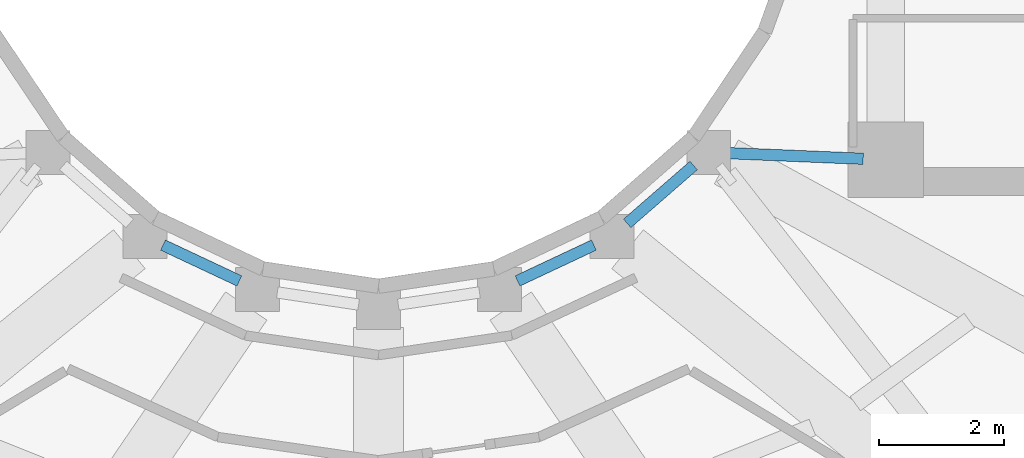
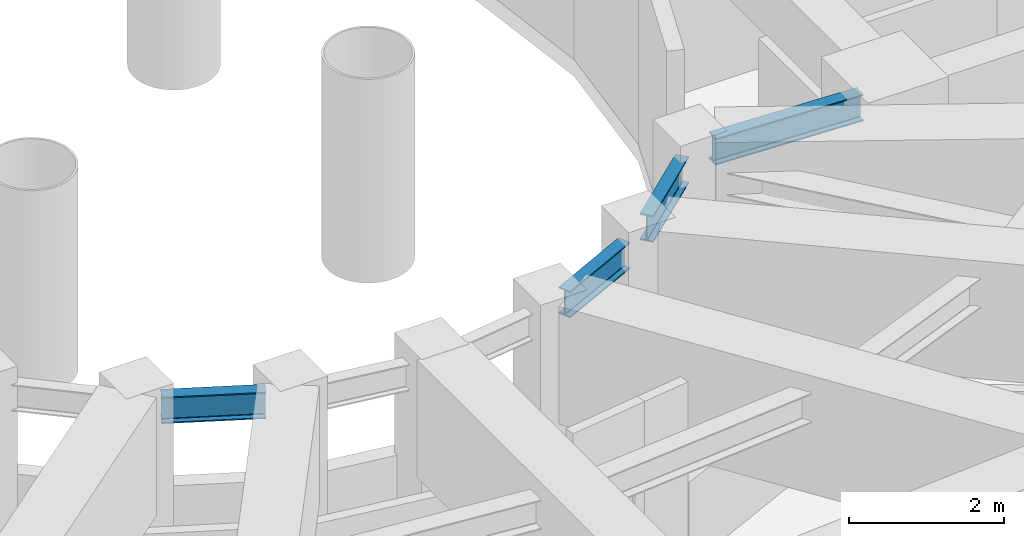
# One storey, part 6 of 18: 4 beams.
"""IFC4 building model written with IfcOpenShell, lengths in metres."""

from ifc_helpers import new_model, si_unit, direction, frame, origin, origin_2d, place, context, subcontext, project, spatial, i_section, extrude, material, material_profile, profile_set, type_object, element, save


model = new_model("IFC4")

# Units and contexts
model_context = context("Model", 3, precision=1e-05, world=origin(), true_north=direction((0.0, 1.0)))
body_context = subcontext(model_context, "Body", "Model", "MODEL_VIEW")
ifc_project = project(units=[si_unit("LENGTHUNIT", "METRE"), si_unit("AREAUNIT", "SQUARE_METRE"), si_unit("VOLUMEUNIT", "CUBIC_METRE"), si_unit("PLANEANGLEUNIT", "RADIAN"), si_unit("MASSUNIT", "GRAM", prefix="KILO")], contexts=[model_context])

# Site, building, storey
site_placement = place(None, origin())
site = spatial("IfcSite", under=ifc_project, at=site_placement, CompositionType="ELEMENT")
building_placement = place(site_placement, origin())
building = spatial("IfcBuilding", under=site, at=building_placement, Name="Solvane Sanctuary Tower", CompositionType="ELEMENT")
storey_placement = place(building_placement, frame((0.0, 0.0, 266.800048828125)))
storey = spatial("IfcBuildingStorey", under=building, at=storey_placement, Name="L81", CompositionType="ELEMENT", Elevation=266.800048828125)

# Beams
ifc_material = material(Name="Steel ASTM A992 Grade 50", Category="steel")
ifc_material_profile = material_profile(ifc_material, i_section(OverallWidth=0.180908203125, OverallDepth=0.4169921875, WebThickness=0.010986328125, FlangeThickness=0.018310546875, FilletRadius=0.012939453125, at=origin_2d()), Name="W16X57")
ifc_profile_set = profile_set([ifc_material_profile], Name="Steel ASTM A992 Grade 50")
beam_type = type_object("IfcBeamType", Name="Beam B-ROOF-BM W16X57", PredefinedType="BEAM", material=ifc_profile_set)
for number, where, z_axis, x_axis, name in (
    (1, (28.5595703125, 15.537353515625, 2.7294921875), (0.905134542189, -0.425125229241, 0.0), (0.425125229241, 0.905134542189, 0.0), "L81 Inner Light-Well Ring Beam IC09-IC10"),
    (2, (34.220458984375, 14.96435546875, 2.7294921875), (0.905134542189, 0.425125229241, 0.0), (-0.425125229241, 0.905134542189, 0.0), "L81 Inner Light-Well Ring Beam IC12-IC13"),
):
    element("IfcBeam", number, at=place(storey_placement, frame(where, z_axis=z_axis, x_axis=x_axis)), inside=storey, type_object=beam_type, Name=name, PredefinedType="BEAM", context=body_context, shape_type="SweptSolid", body=[
        extrude(i_section(OverallWidth=0.180908203125, OverallDepth=0.4169921875, WebThickness=0.010986328125, FlangeThickness=0.018310546875, FilletRadius=0.012939453125, at=origin_2d()), origin(), (0.0, 0.0, 1.0), 1.347900390625),
    ])
beam_1_placement = place(storey_placement, frame((35.971435546875, 15.883544921875, 2.7294921875), z_axis=(0.754388985763, 0.656427648839, 0.0), x_axis=(-0.656427648839, 0.754388985763, 0.0)))
element("IfcBeam", 3, at=beam_1_placement, inside=storey, type_object=beam_type, Name="L81 Inner Light-Well Ring Beam IC13-IC14", PredefinedType="BEAM", context=body_context, shape_type="SweptSolid", body=[
    extrude(i_section(OverallWidth=0.180908203125, OverallDepth=0.4169921875, WebThickness=0.010986328125, FlangeThickness=0.018310546875, FilletRadius=0.012939453125, at=origin_2d()), origin(), (0.0, 0.0, 1.0), 1.408203125),
])
beam_2_placement = place(storey_placement, frame((37.5947265625, 17.004638671875, 2.7294921875), z_axis=(0.999129127803, -0.041725124022, 0.0), x_axis=(0.041725124022, 0.999129127803, 0.0)))
element("IfcBeam", 4, at=beam_2_placement, inside=storey, type_object=beam_type, Name="L81 Inner Light-Well Ring Beam IC14-CE1", PredefinedType="BEAM", context=body_context, shape_type="SweptSolid", body=[
    extrude(i_section(OverallWidth=0.180908203125, OverallDepth=0.4169921875, WebThickness=0.010986328125, FlangeThickness=0.018310546875, FilletRadius=0.012939453125, at=origin_2d()), origin(), (0.0, 0.0, 1.0), 2.1474609375),
])

save(model, "model.ifc")
